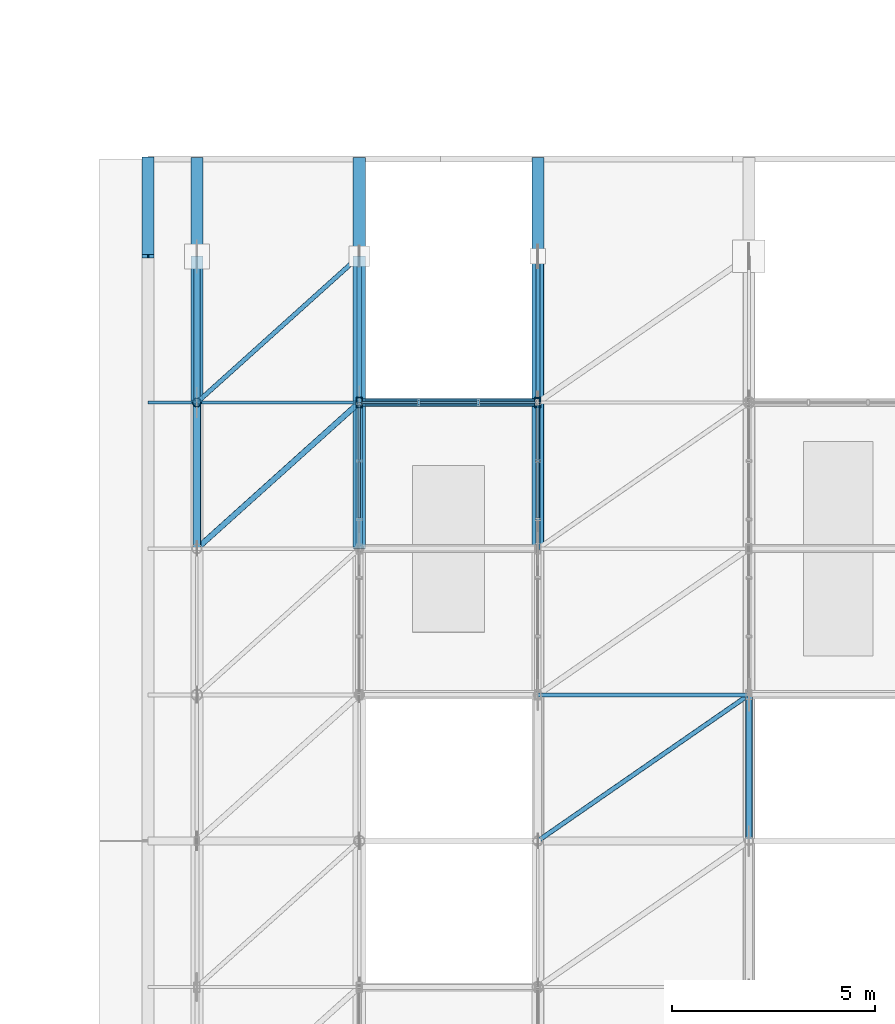
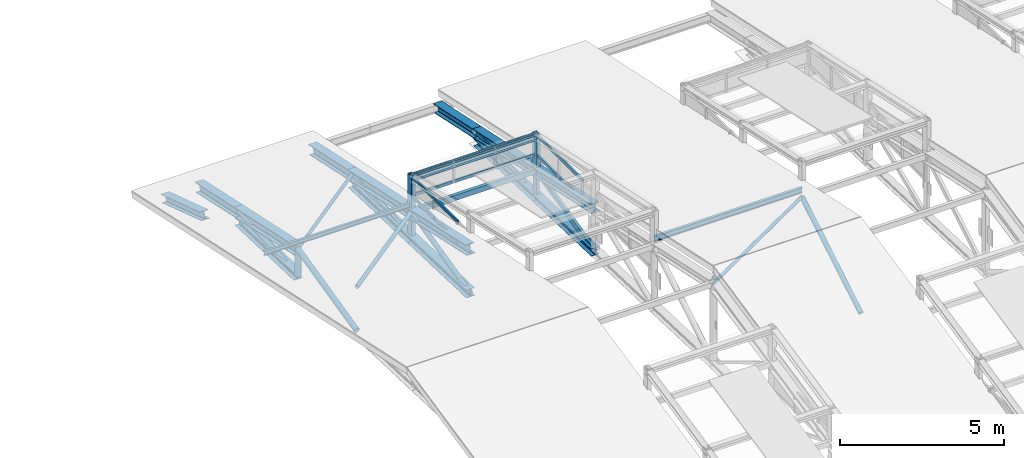
# One storey, part 39 of 124: 48 members, 3 elements without a shape of their own.
"""IFC4 building model written with IfcOpenShell, lengths in metres."""

import ifcopenshell
import ifcopenshell.guid

model = None  # the IFC model being written
_history = None  # IfcOwnerHistory: only IFC2X3 demands one
_inside = {}  # id of a spatial element -> (the spatial element, [elements in it])
_under = {}  # id of a project, library or spatial element -> (it, [spatial elements below it])
_declared = {}  # id of a project -> (the project, [libraries it declares])
_typed = {}  # id of a type object -> (the type object, [elements of that type])
_made_of = {}  # id of a material, layer set ... -> (it, [elements and type objects made of it])


def new_model(schema):
    """Start an empty IFC model of exactly this schema.

    Asked for "IFC4X3", IfcOpenShell would pick the latest addendum, in which some entities
    have other attributes; the version numbers below select the first issue.
    IFC2X3 requires an IfcOwnerHistory on every rooted entity: one is made here for all.
    """
    global model, _history
    if schema == "IFC4X3":
        model = ifcopenshell.file(schema_version=(4, 3, 0, 0))
    else:
        model = ifcopenshell.file(schema=schema)
    _inside.clear()
    _under.clear()
    _declared.clear()
    _typed.clear()
    _made_of.clear()
    _history = None
    if model.schema == "IFC2X3":
        org = make("IfcOrganization", Name="unknown")
        user = make(
            "IfcPersonAndOrganization",
            ThePerson=make("IfcPerson", FamilyName="unknown"),
            TheOrganization=org,
        )
        app = make(
            "IfcApplication",
            ApplicationDeveloper=org,
            Version="unknown",
            ApplicationFullName="unknown",
            ApplicationIdentifier="unknown",
        )
        _history = make(
            "IfcOwnerHistory",
            OwningUser=user,
            OwningApplication=app,
            ChangeAction="ADDED",
            CreationDate=0,
        )
    return model


def make(cls, **values):
    """One entity of the class cls with the attributes given. An attribute that is None is left unset."""
    return model.create_entity(
        cls, **{name: value for name, value in values.items() if value is not None}
    )


def rooted(cls, **values):
    """An entity with a GlobalId (a new one), such as an element, a storey or a relation."""
    return make(cls, GlobalId=ifcopenshell.guid.new(), OwnerHistory=_history, **values)


def si_unit(unit_type, name, prefix=None):
    """IfcSIUnit, for example si_unit("LENGTHUNIT", "METRE", prefix="MILLI")."""
    return make("IfcSIUnit", UnitType=unit_type, Prefix=prefix, Name=name)


def assignment(units):
    """IfcUnitAssignment: the units of a project."""
    return None if units is None else make("IfcUnitAssignment", Units=units)


def point(xyz):
    """IfcCartesianPoint."""
    return None if xyz is None else make("IfcCartesianPoint", Coordinates=xyz)


def direction(xyz):
    """IfcDirection."""
    return None if xyz is None else make("IfcDirection", DirectionRatios=xyz)


def frame(location, z_axis=None, x_axis=None):
    """IfcAxis2Placement3D, a coordinate frame: its origin and axes. An axis left out is left unset."""
    return make(
        "IfcAxis2Placement3D",
        Location=point(location),
        Axis=direction(z_axis),
        RefDirection=direction(x_axis),
    )


def frame_2d(location, x_axis=None):
    """IfcAxis2Placement2D, a coordinate frame in the plane: its origin and x axis."""
    return make(
        "IfcAxis2Placement2D", Location=point(location), RefDirection=direction(x_axis)
    )


def origin():
    """The frame at (0, 0, 0) with its axes left unset."""
    return frame((0.0, 0.0, 0.0))


def origin_2d():
    """The frame at (0, 0) in the plane with its x axis left unset."""
    return frame_2d((0.0, 0.0))


def place(relative_to, where):
    """IfcLocalPlacement: puts the frame where relative to a parent placement (None: the world)."""
    return make(
        "IfcLocalPlacement", PlacementRelTo=relative_to, RelativePlacement=where
    )


def context(
    kind, dimensions, precision=None, world=None, true_north=None, identifier=None
):
    """IfcGeometricRepresentationContext, for example the 3D "Model" context."""
    return make(
        "IfcGeometricRepresentationContext",
        ContextIdentifier=identifier,
        ContextType=kind,
        CoordinateSpaceDimension=dimensions,
        Precision=precision,
        WorldCoordinateSystem=world,
        TrueNorth=true_north,
    )


def subcontext(parent, identifier, kind, view, scale=None):
    """IfcGeometricRepresentationSubContext, for example "Body" below "Model"."""
    return make(
        "IfcGeometricRepresentationSubContext",
        ContextIdentifier=identifier,
        ContextType=kind,
        ParentContext=parent,
        TargetScale=scale,
        TargetView=view,
    )


def project(units=None, contexts=None):
    """IfcProject with its units and contexts."""
    return rooted(
        "IfcProject",
        Name="project",
        RepresentationContexts=contexts,
        UnitsInContext=assignment(units),
    )


def spatial(cls, under=None, at=None, **own):
    """A site, building, storey or space (cls), placed at a placement, below another one or the project."""
    s = rooted(cls, ObjectPlacement=at, **own)
    if under is not None:
        _under.setdefault(under.id(), (under, []))[1].append(s)
    return s


def profile(cls, at=None, kind="AREA", **sizes):
    """A parametric profile (cls). Its sizes go by their IFC names, for example OverallWidth=200.0."""
    return make(cls, ProfileType=kind, Position=at, **sizes)


def hollow_rectangle(**sizes):
    """IfcRectangleHollowProfileDef."""
    return profile("IfcRectangleHollowProfileDef", **sizes)


def hollow_circle(**sizes):
    """IfcCircleHollowProfileDef."""
    return profile("IfcCircleHollowProfileDef", **sizes)


def i_section(**sizes):
    """IfcIShapeProfileDef."""
    return profile("IfcIShapeProfileDef", **sizes)


def extrude(swept, where, along, depth):
    """IfcExtrudedAreaSolid: the profile swept, set in the frame where, extruded along a direction by depth."""
    return make(
        "IfcExtrudedAreaSolid",
        SweptArea=swept,
        Position=where,
        ExtrudedDirection=direction(along),
        Depth=depth,
    )


def shape(context_of_items, identifier, shape_type, items):
    """IfcShapeRepresentation: the items that make up one representation, for example the "Body"."""
    return make(
        "IfcShapeRepresentation",
        ContextOfItems=context_of_items,
        RepresentationIdentifier=identifier,
        RepresentationType=shape_type,
        Items=items,
    )


def material(Name=None, Category=None):
    """IfcMaterial."""
    return make("IfcMaterial", Name=Name, Category=Category)


def layer(
    of_material, thickness, ventilated=None, Name=None, Category=None, Priority=None
):
    """IfcMaterialLayer: one layer of a wall or slab, of a material (None: an air gap)."""
    return make(
        "IfcMaterialLayer",
        Material=of_material,
        LayerThickness=thickness,
        IsVentilated=ventilated,
        Name=Name,
        Category=Category,
        Priority=Priority,
    )


def layer_set(layers, Name=None):
    """IfcMaterialLayerSet."""
    return make("IfcMaterialLayerSet", MaterialLayers=layers, LayerSetName=Name)


def material_profile(
    of_material, cross_section, Name=None, Category=None, Priority=None
):
    """IfcMaterialProfile: a cross section and its material."""
    return make(
        "IfcMaterialProfile",
        Name=Name,
        Material=of_material,
        Profile=cross_section,
        Priority=Priority,
        Category=Category,
    )


def profile_set(profiles, Name=None, composite=None):
    """IfcMaterialProfileSet."""
    return make(
        "IfcMaterialProfileSet",
        Name=Name,
        MaterialProfiles=profiles,
        CompositeProfile=composite,
    )


def made_of(thing, what):
    """Note that an element or type object is made of a material, layer set ...; save() writes the relation."""
    if what is not None:
        _made_of.setdefault(what.id(), (what, []))[1].append(thing)
    return thing


def type_object(cls, material=None, **own):
    """A type object (cls), such as IfcWallType, which elements share."""
    return made_of(rooted(cls, **own), material)


def element(
    cls,
    number,
    at=None,
    inside=None,
    cuts=None,
    type_object=None,
    material=None,
    context=None,
    identifier="Body",
    shape_type=None,
    held_by="IfcProductDefinitionShape",
    body=None,
    shapes=None,
    **own,
):
    """One element of the class cls, such as IfcWall. Its Tag is "e" and its number.

    at: its placement. inside: the storey or other place that contains it. cuts: it is an
    opening in that element (IfcRelVoidsElement). A single representation is given by context,
    identifier, shape_type and body (its items); several are given by shapes. held_by: the class
    of the entity that holds the representations. save() writes the other relations.
    """
    e = rooted(cls, Tag="e%d" % number, ObjectPlacement=at, **own)
    if body is not None:
        shapes = [shape(context, identifier, shape_type, body)]
    if shapes is not None:
        e.Representation = make(held_by, Representations=shapes)
    if inside is not None:
        _inside.setdefault(inside.id(), (inside, []))[1].append(e)
    if cuts is not None:
        rooted(
            "IfcRelVoidsElement", RelatingBuildingElement=cuts, RelatedOpeningElement=e
        )
    if type_object is not None:
        _typed.setdefault(type_object.id(), (type_object, []))[1].append(e)
    return made_of(e, material)


def aggregate(whole, parts):
    """IfcRelAggregates: a whole, such as a stair, and the parts it consists of."""
    return rooted("IfcRelAggregates", RelatingObject=whole, RelatedObjects=parts)


def save(model, path):
    """Write the relations noted so far, then the file.

    IfcRelAggregates (storeys below a building ...), IfcRelContainedInSpatialStructure (elements
    in a storey), IfcRelDefinesByType, IfcRelAssociatesMaterial and IfcRelDeclares: one each for
    every whole, place, type object, material and project.
    """
    for whole, parts in _under.values():
        aggregate(whole, parts)
    for where, things in _inside.values():
        rooted(
            "IfcRelContainedInSpatialStructure",
            RelatedElements=things,
            RelatingStructure=where,
        )
    for kind, things in _typed.values():
        rooted("IfcRelDefinesByType", RelatedObjects=things, RelatingType=kind)
    for what, things in _made_of.values():
        rooted("IfcRelAssociatesMaterial", RelatedObjects=things, RelatingMaterial=what)
    for by, libraries in _declared.values():
        rooted("IfcRelDeclares", RelatingContext=by, RelatedDefinitions=libraries)
    model.write(path)


model = new_model("IFC4")

# Units and contexts
model_context = context("Model", 3, precision=1e-05, world=origin(), true_north=direction((0.0, 1.0)))
body_context = subcontext(model_context, "Body", "Model", "MODEL_VIEW")
ifc_project = project(units=[si_unit("LENGTHUNIT", "METRE"), si_unit("AREAUNIT", "SQUARE_METRE"), si_unit("VOLUMEUNIT", "CUBIC_METRE"), si_unit("PLANEANGLEUNIT", "RADIAN"), si_unit("MASSUNIT", "GRAM", prefix="KILO"), si_unit("THERMODYNAMICTEMPERATUREUNIT", "KELVIN"), si_unit("POWERUNIT", "WATT")], contexts=[model_context])

# Site, building, storey
site_placement = place(None, origin())
site = spatial("IfcSite", under=ifc_project, at=site_placement, CompositionType="ELEMENT")
building_placement = place(site_placement, origin())
building = spatial("IfcBuilding", under=site, at=building_placement, Name="Tavuni Mirador Residences", CompositionType="ELEMENT")
storey_placement = place(building_placement, frame((0.0, 0.0, 7.64990234375)))
storey = spatial("IfcBuildingStorey", under=building, at=storey_placement, Name="L02", CompositionType="ELEMENT", Elevation=7.64990234375)

# Curtain wall, members
ifc_material_1 = material(Name="Anodised aluminium", Category="aluminium")
ifc_layer = layer(ifc_material_1, 0.199951171875, Name="Anodised aluminium", Category="aluminium")
ifc_layer_set = layer_set([ifc_layer], Name="Anodised aluminium")
curtain_wall_type = type_object("IfcCurtainWallType", Name="CWT-HAL-01", PredefinedType="NOTDEFINED", material=ifc_layer_set)
curtain_wall_1_placement = place(storey_placement, origin())
curtain_wall_1 = element("IfcCurtainWall", 1, at=curtain_wall_1_placement, inside=storey, type_object=curtain_wall_type, Name="CW-HALL-MON-N1-W", PredefinedType="NOTDEFINED")
ifc_material_profile_1 = material_profile(ifc_material_1, hollow_rectangle(XDim=0.06005859375, YDim=0.110107421875, WallThickness=0.00390625, at=origin_2d()), Name="ALU 60x110x4.0", Category="aluminium")
ifc_profile_set_1 = profile_set([ifc_material_profile_1], Name="Anodised aluminium")
member_type_1 = type_object("IfcMemberType", Name="CWT-110", PredefinedType="USERDEFINED", material=ifc_profile_set_1)
member_1_placement = place(storey_placement, frame((44.800048828125, 94.35009765625, 1.205078125), z_axis=(0.0, 1.0, 0.0), x_axis=(-1.0, 0.0, 0.0)))
member_1 = element("IfcMember", 2, at=member_1_placement, type_object=member_type_1, Name="CW-06 transom 4.1", ObjectType="TRANSOM", PredefinedType="USERDEFINED", context=body_context, shape_type="SweptSolid", body=[
    extrude(hollow_rectangle(XDim=0.06005859375, YDim=0.110107421875, WallThickness=0.00390625, at=origin_2d()), origin(), (0.0, 0.0, 1.0), 1.3798828125),
])
member_2_placement = place(storey_placement, frame((44.800048828125, 94.35009765625, 1.93505859375), z_axis=(0.0, 1.0, 0.0), x_axis=(-1.0, 0.0, 0.0)))
member_2 = element("IfcMember", 3, at=member_2_placement, type_object=member_type_1, Name="CW-06 transom 4.2", ObjectType="TRANSOM", PredefinedType="USERDEFINED", context=body_context, shape_type="SweptSolid", body=[
    extrude(hollow_rectangle(XDim=0.06005859375, YDim=0.110107421875, WallThickness=0.00390625, at=origin_2d()), origin(), (0.0, 0.0, 1.0), 1.3798828125),
])
member_3_placement = place(storey_placement, frame((44.800048828125, 95.7900390625, 1.205078125), z_axis=(0.0, 1.0, 0.0), x_axis=(-1.0, 0.0, 0.0)))
member_3 = element("IfcMember", 4, at=member_3_placement, type_object=member_type_1, Name="CW-06 transom 5.1", ObjectType="TRANSOM", PredefinedType="USERDEFINED", context=body_context, shape_type="SweptSolid", body=[
    extrude(hollow_rectangle(XDim=0.06005859375, YDim=0.110107421875, WallThickness=0.00390625, at=origin_2d()), origin(), (0.0, 0.0, 1.0), 1.349853515625),
])
member_4_placement = place(storey_placement, frame((44.800048828125, 95.7900390625, 1.93505859375), z_axis=(0.0, 1.0, 0.0), x_axis=(-1.0, 0.0, 0.0)))
member_4 = element("IfcMember", 5, at=member_4_placement, type_object=member_type_1, Name="CW-06 transom 5.2", ObjectType="TRANSOM", PredefinedType="USERDEFINED", context=body_context, shape_type="SweptSolid", body=[
    extrude(hollow_rectangle(XDim=0.06005859375, YDim=0.110107421875, WallThickness=0.00390625, at=origin_2d()), origin(), (0.0, 0.0, 1.0), 1.349853515625),
])
aggregate(curtain_wall_1, [member_1, member_2, member_3, member_4])

curtain_wall_2_placement = place(storey_placement, origin())
curtain_wall_2 = element("IfcCurtainWall", 6, at=curtain_wall_2_placement, inside=storey, type_object=curtain_wall_type, Name="CW-HALL-MON-N1-E", PredefinedType="NOTDEFINED")
member_5_placement = place(storey_placement, frame((49.199951171875, 94.35009765625, 1.205078125), z_axis=(0.0, 1.0, 0.0), x_axis=(-1.0, 0.0, 0.0)))
member_5 = element("IfcMember", 7, at=member_5_placement, type_object=member_type_1, Name="CW-06 transom 4.1", ObjectType="TRANSOM", PredefinedType="USERDEFINED", context=body_context, shape_type="SweptSolid", body=[
    extrude(hollow_rectangle(XDim=0.06005859375, YDim=0.110107421875, WallThickness=0.00390625, at=origin_2d()), origin(), (0.0, 0.0, 1.0), 1.3798828125),
])
member_6_placement = place(storey_placement, frame((49.199951171875, 94.35009765625, 1.93505859375), z_axis=(0.0, 1.0, 0.0), x_axis=(-1.0, 0.0, 0.0)))
member_6 = element("IfcMember", 8, at=member_6_placement, type_object=member_type_1, Name="CW-06 transom 4.2", ObjectType="TRANSOM", PredefinedType="USERDEFINED", context=body_context, shape_type="SweptSolid", body=[
    extrude(hollow_rectangle(XDim=0.06005859375, YDim=0.110107421875, WallThickness=0.00390625, at=origin_2d()), origin(), (0.0, 0.0, 1.0), 1.3798828125),
])
member_7_placement = place(storey_placement, frame((49.199951171875, 95.7900390625, 1.205078125), z_axis=(0.0, 1.0, 0.0), x_axis=(-1.0, 0.0, 0.0)))
member_7 = element("IfcMember", 9, at=member_7_placement, type_object=member_type_1, Name="CW-06 transom 5.1", ObjectType="TRANSOM", PredefinedType="USERDEFINED", context=body_context, shape_type="SweptSolid", body=[
    extrude(hollow_rectangle(XDim=0.06005859375, YDim=0.110107421875, WallThickness=0.00390625, at=origin_2d()), origin(), (0.0, 0.0, 1.0), 1.349853515625),
])
member_8_placement = place(storey_placement, frame((49.199951171875, 95.7900390625, 1.93505859375), z_axis=(0.0, 1.0, 0.0), x_axis=(-1.0, 0.0, 0.0)))
member_8 = element("IfcMember", 10, at=member_8_placement, type_object=member_type_1, Name="CW-06 transom 5.2", ObjectType="TRANSOM", PredefinedType="USERDEFINED", context=body_context, shape_type="SweptSolid", body=[
    extrude(hollow_rectangle(XDim=0.06005859375, YDim=0.110107421875, WallThickness=0.00390625, at=origin_2d()), origin(), (0.0, 0.0, 1.0), 1.349853515625),
])
aggregate(curtain_wall_2, [member_5, member_6, member_7, member_8])

curtain_wall_3_placement = place(storey_placement, origin())
curtain_wall_3 = element("IfcCurtainWall", 11, at=curtain_wall_3_placement, inside=storey, type_object=curtain_wall_type, Name="CW-HALL-MON-N1-END", PredefinedType="NOTDEFINED")
member_9_placement = place(storey_placement, frame((44.860107421875, 97.199951171875, 1.205078125), z_axis=(1.0, 0.0, 0.0), x_axis=(0.0, 1.0, 0.0)))
member_9 = element("IfcMember", 12, at=member_9_placement, type_object=member_type_1, Name="CW-06 transom 1.1", ObjectType="TRANSOM", PredefinedType="USERDEFINED", context=body_context, shape_type="SweptSolid", body=[
    extrude(hollow_rectangle(XDim=0.06005859375, YDim=0.110107421875, WallThickness=0.00390625, at=origin_2d()), origin(), (0.0, 0.0, 1.0), 1.37646484375),
])
member_10_placement = place(storey_placement, frame((44.860107421875, 97.199951171875, 1.93505859375), z_axis=(1.0, 0.0, 0.0), x_axis=(0.0, 1.0, 0.0)))
member_10 = element("IfcMember", 13, at=member_10_placement, type_object=member_type_1, Name="CW-06 transom 1.2", ObjectType="TRANSOM", PredefinedType="USERDEFINED", context=body_context, shape_type="SweptSolid", body=[
    extrude(hollow_rectangle(XDim=0.06005859375, YDim=0.110107421875, WallThickness=0.00390625, at=origin_2d()), origin(), (0.0, 0.0, 1.0), 1.37646484375),
])
member_11_placement = place(storey_placement, frame((46.296630859375, 97.199951171875, 1.205078125), z_axis=(1.0, 0.0, 0.0), x_axis=(0.0, 1.0, 0.0)))
member_11 = element("IfcMember", 14, at=member_11_placement, type_object=member_type_1, Name="CW-06 transom 2.1", ObjectType="TRANSOM", PredefinedType="USERDEFINED", context=body_context, shape_type="SweptSolid", body=[
    extrude(hollow_rectangle(XDim=0.06005859375, YDim=0.110107421875, WallThickness=0.00390625, at=origin_2d()), origin(), (0.0, 0.0, 1.0), 1.40673828125),
])
member_12_placement = place(storey_placement, frame((46.296630859375, 97.199951171875, 1.93505859375), z_axis=(1.0, 0.0, 0.0), x_axis=(0.0, 1.0, 0.0)))
member_12 = element("IfcMember", 15, at=member_12_placement, type_object=member_type_1, Name="CW-06 transom 2.2", ObjectType="TRANSOM", PredefinedType="USERDEFINED", context=body_context, shape_type="SweptSolid", body=[
    extrude(hollow_rectangle(XDim=0.06005859375, YDim=0.110107421875, WallThickness=0.00390625, at=origin_2d()), origin(), (0.0, 0.0, 1.0), 1.40673828125),
])
member_13_placement = place(storey_placement, frame((47.763427734375, 97.199951171875, 1.205078125), z_axis=(1.0, 0.0, 0.0), x_axis=(0.0, 1.0, 0.0)))
member_13 = element("IfcMember", 16, at=member_13_placement, type_object=member_type_1, Name="CW-06 transom 3.1", ObjectType="TRANSOM", PredefinedType="USERDEFINED", context=body_context, shape_type="SweptSolid", body=[
    extrude(hollow_rectangle(XDim=0.06005859375, YDim=0.110107421875, WallThickness=0.00390625, at=origin_2d()), origin(), (0.0, 0.0, 1.0), 1.37646484375),
])
member_14_placement = place(storey_placement, frame((47.763427734375, 97.199951171875, 1.93505859375), z_axis=(1.0, 0.0, 0.0), x_axis=(0.0, 1.0, 0.0)))
member_14 = element("IfcMember", 17, at=member_14_placement, type_object=member_type_1, Name="CW-06 transom 3.2", ObjectType="TRANSOM", PredefinedType="USERDEFINED", context=body_context, shape_type="SweptSolid", body=[
    extrude(hollow_rectangle(XDim=0.06005859375, YDim=0.110107421875, WallThickness=0.00390625, at=origin_2d()), origin(), (0.0, 0.0, 1.0), 1.37646484375),
])
aggregate(curtain_wall_3, [member_9, member_10, member_11, member_12, member_13, member_14])

# Members
ifc_material_2 = material(Name="Structural steel S355", Category="steel")
ifc_material_profile_2 = material_profile(ifc_material_2, hollow_circle(Radius=0.05712890625, WallThickness=0.00634765625, at=origin_2d()), Name="CHS 114.3x6.3", Category="steel")
ifc_profile_set_2 = profile_set([ifc_material_profile_2], Name="Structural steel S355")
member_type_2 = type_object("IfcMemberType", Name="MT-BR-CHS114", PredefinedType="BRACE", material=ifc_profile_set_2)
member_15_placement = place(storey_placement, frame((40.800048828125, 97.199951171875, 0.60498046875), z_axis=(0.735697248953, 0.662145485417, -0.142523380626), x_axis=(-0.668974757313, 0.743285123004, 0.0)))
element("IfcMember", 18, at=member_15_placement, inside=storey, type_object=member_type_2, Name="HALL-RB-1-08", PredefinedType="BRACE", context=body_context, shape_type="SweptSolid", body=[
    extrude(hollow_circle(Radius=0.05712890625, WallThickness=0.00634765625, at=origin_2d()), origin(), (0.0, 0.0, 1.0), 5.43701171875),
])
member_16_placement = place(storey_placement, frame((49.199951171875, 86.39990234375, 2.93017578125), z_axis=(0.816076077126, 0.56499637698, -0.12165085426), x_axis=(-0.569224029849, 0.822182463838, 0.0)))
element("IfcMember", 19, at=member_16_placement, inside=storey, type_object=member_type_2, Name="HALL-RB-2-05", PredefinedType="BRACE", context=body_context, shape_type="SweptSolid", body=[
    extrude(hollow_circle(Radius=0.05712890625, WallThickness=0.00634765625, at=origin_2d()), origin(), (0.0, 0.0, 1.0), 6.371826171875),
])
ifc_material_profile_3 = material_profile(ifc_material_2, hollow_circle(Radius=0.06982421875, WallThickness=0.008056640625, at=origin_2d()), Name="CHS 139.7x8.0", Category="steel")
ifc_profile_set_3 = profile_set([ifc_material_profile_3], Name="Structural steel S355")
member_type_3 = type_object("IfcMemberType", Name="MT-BR-CHS139", PredefinedType="BRACE", material=ifc_profile_set_3)
member_17_placement = place(storey_placement, frame((40.800048828125, 93.60009765625, 1.380126953125), z_axis=(0.735714413945, 0.662116029884, -0.142571610368), x_axis=(-0.668949692402, 0.74330768127, 0.0)))
element("IfcMember", 20, at=member_17_placement, inside=storey, type_object=member_type_3, Name="HALL-RB-1-07", PredefinedType="BRACE", context=body_context, shape_type="SweptSolid", body=[
    extrude(hollow_circle(Radius=0.06982421875, WallThickness=0.008056640625, at=origin_2d()), origin(), (0.0, 0.0, 1.0), 5.43701171875),
])
ifc_material_profile_4 = material_profile(ifc_material_2, hollow_circle(Radius=0.084228515625, WallThickness=0.008056640625, at=origin_2d()), Name="CHS 168.3x8.0", Category="steel")
ifc_profile_set_4 = profile_set([ifc_material_profile_4], Name="Structural steel S355")
member_type_4 = type_object("IfcMemberType", Name="MT-BR-CHS168", PredefinedType="BRACE", material=ifc_profile_set_4)
member_18_placement = place(storey_placement, frame((40.800048828125, 97.199951171875, -0.375), z_axis=(0.0, 0.998381455169, 0.05687240081), x_axis=(-1.0, 0.0, 0.0)))
element("IfcMember", 21, at=member_18_placement, inside=storey, type_object=member_type_4, Name="Roof truss TR-1 web diagonal 8", PredefinedType="BRACE", context=body_context, shape_type="SweptSolid", body=[
    extrude(hollow_circle(Radius=0.084228515625, WallThickness=0.008056640625, at=origin_2d()), origin(), (0.0, 0.0, 1.0), 3.60595703125),
])
member_19_placement = place(storey_placement, frame((44.800048828125, 93.60009765625, -0.25), z_axis=(0.0, 0.972935623557, 0.231076334601), x_axis=(-1.0, 0.0, 0.0)))
element("IfcMember", 22, at=member_19_placement, inside=storey, type_object=member_type_4, Name="Roof truss TR-2 web diagonal 7", PredefinedType="BRACE", context=body_context, shape_type="SweptSolid", body=[
    extrude(hollow_circle(Radius=0.084228515625, WallThickness=0.008056640625, at=origin_2d()), origin(), (0.0, 0.0, 1.0), 3.699951171875),
])
member_20_placement = place(storey_placement, frame((54.39990234375, 86.39990234375, 0.0), z_axis=(0.0, 0.858021287319, 0.513614126079), x_axis=(-1.0, 0.0, 0.0)))
element("IfcMember", 23, at=member_20_placement, inside=storey, type_object=member_type_4, Name="Roof truss TR-4 web diagonal 5", PredefinedType="BRACE", context=body_context, shape_type="SweptSolid", body=[
    extrude(hollow_circle(Radius=0.084228515625, WallThickness=0.008056640625, at=origin_2d()), origin(), (0.0, 0.0, 1.0), 4.19580078125),
])
ifc_material_profile_5 = material_profile(ifc_material_2, hollow_circle(Radius=0.096923828125, WallThickness=0.010009765625, at=origin_2d()), Name="CHS 193.7x10.0", Category="steel")
ifc_profile_set_5 = profile_set([ifc_material_profile_5], Name="Structural steel S355")
member_type_5 = type_object("IfcMemberType", Name="MT-BR-CHS193", PredefinedType="BRACE", material=ifc_profile_set_5)
member_21_placement = place(storey_placement, frame((40.800048828125, 93.60009765625, -0.25), z_axis=(0.0, 0.972935623557, 0.231076334601), x_axis=(-1.0, 0.0, 0.0)))
element("IfcMember", 24, at=member_21_placement, inside=storey, type_object=member_type_5, Name="Roof truss TR-1 web diagonal 7", PredefinedType="BRACE", context=body_context, shape_type="SweptSolid", body=[
    extrude(hollow_circle(Radius=0.096923828125, WallThickness=0.010009765625, at=origin_2d()), origin(), (0.0, 0.0, 1.0), 3.699951171875),
])
ifc_material_profile_6 = material_profile(ifc_material_2, hollow_rectangle(XDim=0.10009765625, YDim=0.14990234375, WallThickness=0.008056640625, at=origin_2d()), Name="RHS 150x100x8.0", Category="steel")
ifc_profile_set_6 = profile_set([ifc_material_profile_6], Name="Structural steel S355")
member_type_6 = type_object("IfcMemberType", Name="MT-BR-RHS150", PredefinedType="BRACE", material=ifc_profile_set_6)
member_22_placement = place(storey_placement, frame((49.199951171875, 97.199951171875, -0.375), z_axis=(0.0, 0.998381455169, 0.05687240081), x_axis=(-1.0, 0.0, 0.0)))
element("IfcMember", 25, at=member_22_placement, inside=storey, type_object=member_type_6, Name="Roof truss TR-3 web diagonal 8", PredefinedType="BRACE", context=body_context, shape_type="SweptSolid", body=[
    extrude(hollow_rectangle(XDim=0.10009765625, YDim=0.14990234375, WallThickness=0.008056640625, at=origin_2d()), origin(), (0.0, 0.0, 1.0), 3.60595703125),
])
ifc_material_profile_7 = material_profile(ifc_material_2, hollow_rectangle(XDim=0.10009765625, YDim=0.179931640625, WallThickness=0.008056640625, at=origin_2d()), Name="RHS 180x100x8.0", Category="steel")
ifc_profile_set_7 = profile_set([ifc_material_profile_7], Name="Structural steel S355")
member_type_7 = type_object("IfcMemberType", Name="MT-BR-RHS180", PredefinedType="BRACE", material=ifc_profile_set_7)
member_23_placement = place(storey_placement, frame((44.800048828125, 97.199951171875, -0.375), z_axis=(0.0, 0.998381455169, 0.05687240081), x_axis=(-1.0, 0.0, 0.0)))
element("IfcMember", 26, at=member_23_placement, inside=storey, type_object=member_type_7, Name="Roof truss TR-2 web diagonal 8", PredefinedType="BRACE", context=body_context, shape_type="SweptSolid", body=[
    extrude(hollow_rectangle(XDim=0.10009765625, YDim=0.179931640625, WallThickness=0.008056640625, at=origin_2d()), origin(), (0.0, 0.0, 1.0), 3.60595703125),
])
member_24_placement = place(storey_placement, frame((49.199951171875, 93.60009765625, -0.25), z_axis=(0.0, 0.972935623557, 0.231076334601), x_axis=(-1.0, 0.0, 0.0)))
element("IfcMember", 27, at=member_24_placement, inside=storey, type_object=member_type_7, Name="Roof truss TR-3 web diagonal 7", PredefinedType="BRACE", context=body_context, shape_type="SweptSolid", body=[
    extrude(hollow_rectangle(XDim=0.10009765625, YDim=0.179931640625, WallThickness=0.008056640625, at=origin_2d()), origin(), (0.0, 0.0, 1.0), 3.699951171875),
])
ifc_material_profile_8 = material_profile(ifc_material_2, i_section(OverallWidth=0.280029296875, OverallDepth=0.27001953125, WebThickness=0.008056640625, FlangeThickness=0.012939453125, FilletRadius=0.02392578125, at=origin_2d()), Name="HEA 280", Category="steel")
ifc_profile_set_8 = profile_set([ifc_material_profile_8], Name="Structural steel S355")
member_type_8 = type_object("IfcMemberType", Name="MT-CH-HEA280", PredefinedType="CHORD", material=ifc_profile_set_8)
member_25_placement = place(storey_placement, frame((49.199951171875, 93.60009765625, -0.25), z_axis=(0.0, 0.999397679205, -0.034702720363), x_axis=(-1.0, 0.0, 0.0)))
element("IfcMember", 28, at=member_25_placement, inside=storey, type_object=member_type_8, Name="Roof truss TR-3 bottom chord 7", PredefinedType="CHORD", context=body_context, shape_type="SweptSolid", body=[
    extrude(i_section(OverallWidth=0.280029296875, OverallDepth=0.27001953125, WebThickness=0.008056640625, FlangeThickness=0.012939453125, FilletRadius=0.02392578125, at=origin_2d()), origin(), (0.0, 0.0, 1.0), 3.60205078125),
])
member_26_placement = place(storey_placement, frame((49.199951171875, 97.199951171875, -0.375), z_axis=(0.0, 0.999397760821, -0.034700369832), x_axis=(-1.0, 0.0, 0.0)))
element("IfcMember", 29, at=member_26_placement, inside=storey, type_object=member_type_8, Name="Roof truss TR-3 bottom chord 8", PredefinedType="CHORD", context=body_context, shape_type="SweptSolid", body=[
    extrude(i_section(OverallWidth=0.280029296875, OverallDepth=0.27001953125, WebThickness=0.008056640625, FlangeThickness=0.012939453125, FilletRadius=0.02392578125, at=origin_2d()), origin(), (0.0, 0.0, 1.0), 3.602294921875),
])
ifc_material_profile_9 = material_profile(ifc_material_2, i_section(OverallWidth=0.300048828125, OverallDepth=0.2900390625, WebThickness=0.008544921875, FlangeThickness=0.013916015625, FilletRadius=0.027099609375, at=origin_2d()), Name="HEA 300", Category="steel")
ifc_profile_set_9 = profile_set([ifc_material_profile_9], Name="Structural steel S355")
member_type_9 = type_object("IfcMemberType", Name="MT-CH-HEA300", PredefinedType="CHORD", material=ifc_profile_set_9)
member_27_placement = place(storey_placement, frame((40.800048828125, 97.199951171875, -0.375), z_axis=(0.0, 0.999397760821, -0.034700369832), x_axis=(-1.0, 0.0, 0.0)))
element("IfcMember", 30, at=member_27_placement, inside=storey, type_object=member_type_9, Name="Roof truss TR-1 bottom chord 8", PredefinedType="CHORD", context=body_context, shape_type="SweptSolid", body=[
    extrude(i_section(OverallWidth=0.300048828125, OverallDepth=0.2900390625, WebThickness=0.008544921875, FlangeThickness=0.013916015625, FilletRadius=0.027099609375, at=origin_2d()), origin(), (0.0, 0.0, 1.0), 3.602294921875),
])
member_28_placement = place(storey_placement, frame((44.800048828125, 93.60009765625, -0.25), z_axis=(0.0, 0.999397679205, -0.034702720363), x_axis=(-1.0, 0.0, 0.0)))
element("IfcMember", 31, at=member_28_placement, inside=storey, type_object=member_type_9, Name="Roof truss TR-2 bottom chord 7", PredefinedType="CHORD", context=body_context, shape_type="SweptSolid", body=[
    extrude(i_section(OverallWidth=0.300048828125, OverallDepth=0.2900390625, WebThickness=0.008544921875, FlangeThickness=0.013916015625, FilletRadius=0.027099609375, at=origin_2d()), origin(), (0.0, 0.0, 1.0), 3.60205078125),
])
member_29_placement = place(storey_placement, frame((44.800048828125, 97.199951171875, -0.375), z_axis=(0.0, 0.999397760821, -0.034700369832), x_axis=(-1.0, 0.0, 0.0)))
element("IfcMember", 32, at=member_29_placement, inside=storey, type_object=member_type_9, Name="Roof truss TR-2 bottom chord 8", PredefinedType="CHORD", context=body_context, shape_type="SweptSolid", body=[
    extrude(i_section(OverallWidth=0.300048828125, OverallDepth=0.2900390625, WebThickness=0.008544921875, FlangeThickness=0.013916015625, FilletRadius=0.027099609375, at=origin_2d()), origin(), (0.0, 0.0, 1.0), 3.602294921875),
])
member_30_placement = place(storey_placement, frame((39.60009765625, 100.800048828125, 0.09521484375), z_axis=(0.0, 0.950827717429, -0.309720279879), x_axis=(-1.0, 0.0, 0.0)))
element("IfcMember", 33, at=member_30_placement, inside=storey, type_object=member_type_9, Name="HALL-GAB-W-EN", PredefinedType="CHORD", context=body_context, shape_type="SweptSolid", body=[
    extrude(i_section(OverallWidth=0.300048828125, OverallDepth=0.2900390625, WebThickness=0.008544921875, FlangeThickness=0.013916015625, FilletRadius=0.027099609375, at=origin_2d()), origin(), (0.0, 0.0, 1.0), 2.52392578125),
])
ifc_material_profile_10 = material_profile(ifc_material_2, i_section(OverallWidth=0.300048828125, OverallDepth=0.320068359375, WebThickness=0.011474609375, FlangeThickness=0.0205078125, FilletRadius=0.027099609375, at=origin_2d()), Name="HEB 320", Category="steel")
ifc_profile_set_10 = profile_set([ifc_material_profile_10], Name="Structural steel S355")
member_type_10 = type_object("IfcMemberType", Name="MT-CH-HEB320", PredefinedType="CHORD", material=ifc_profile_set_10)
member_31_placement = place(storey_placement, frame((49.199951171875, 100.800048828125, -0.169921875), z_axis=(0.0, 0.977606968822, -0.210439099291), x_axis=(-1.0, 0.0, 0.0)))
element("IfcMember", 34, at=member_31_placement, inside=storey, type_object=member_type_10, Name="Roof truss TR-3 north eave chord", PredefinedType="CHORD", context=body_context, shape_type="SweptSolid", body=[
    extrude(i_section(OverallWidth=0.300048828125, OverallDepth=0.320068359375, WebThickness=0.011474609375, FlangeThickness=0.0205078125, FilletRadius=0.027099609375, at=origin_2d()), origin(), (0.0, 0.0, 1.0), 2.454833984375),
])
member_32_placement = place(storey_placement, frame((49.199951171875, 93.60009765625, 1.380126953125), z_axis=(0.0, 0.977593327089, -0.210502462768), x_axis=(-1.0, 0.0, 0.0)))
element("IfcMember", 35, at=member_32_placement, inside=storey, type_object=member_type_10, Name="Roof truss TR-3 top chord 7", PredefinedType="CHORD", context=body_context, shape_type="SweptSolid", body=[
    extrude(i_section(OverallWidth=0.300048828125, OverallDepth=0.320068359375, WebThickness=0.011474609375, FlangeThickness=0.0205078125, FilletRadius=0.027099609375, at=origin_2d()), origin(), (0.0, 0.0, 1.0), 3.682373046875),
])
member_33_placement = place(storey_placement, frame((49.199951171875, 97.199951171875, 0.60498046875), z_axis=(0.0, 0.977609904647, -0.210425460284), x_axis=(-1.0, 0.0, 0.0)))
element("IfcMember", 36, at=member_33_placement, inside=storey, type_object=member_type_10, Name="Roof truss TR-3 top chord 8", PredefinedType="CHORD", context=body_context, shape_type="SweptSolid", body=[
    extrude(i_section(OverallWidth=0.300048828125, OverallDepth=0.320068359375, WebThickness=0.011474609375, FlangeThickness=0.0205078125, FilletRadius=0.027099609375, at=origin_2d()), origin(), (0.0, 0.0, 1.0), 3.6826171875),
])
ifc_material_profile_11 = material_profile(ifc_material_2, i_section(OverallWidth=0.300048828125, OverallDepth=0.360107421875, WebThickness=0.012451171875, FlangeThickness=0.0224609375, FilletRadius=0.027099609375, at=origin_2d()), Name="HEB 360", Category="steel")
ifc_profile_set_11 = profile_set([ifc_material_profile_11], Name="Structural steel S355")
member_type_11 = type_object("IfcMemberType", Name="MT-CH-HEB360", PredefinedType="CHORD", material=ifc_profile_set_11)
member_34_placement = place(storey_placement, frame((40.800048828125, 100.800048828125, -0.169921875), z_axis=(0.0, 0.977606968822, -0.210439099291), x_axis=(-1.0, 0.0, 0.0)))
element("IfcMember", 37, at=member_34_placement, inside=storey, type_object=member_type_11, Name="Roof truss TR-1 north eave chord", PredefinedType="CHORD", context=body_context, shape_type="SweptSolid", body=[
    extrude(i_section(OverallWidth=0.300048828125, OverallDepth=0.360107421875, WebThickness=0.012451171875, FlangeThickness=0.0224609375, FilletRadius=0.027099609375, at=origin_2d()), origin(), (0.0, 0.0, 1.0), 2.454833984375),
])
member_35_placement = place(storey_placement, frame((40.800048828125, 97.199951171875, 0.60498046875), z_axis=(0.0, 0.977609904647, -0.210425460284), x_axis=(-1.0, 0.0, 0.0)))
element("IfcMember", 38, at=member_35_placement, inside=storey, type_object=member_type_11, Name="Roof truss TR-1 top chord 8", PredefinedType="CHORD", context=body_context, shape_type="SweptSolid", body=[
    extrude(i_section(OverallWidth=0.300048828125, OverallDepth=0.360107421875, WebThickness=0.012451171875, FlangeThickness=0.0224609375, FilletRadius=0.027099609375, at=origin_2d()), origin(), (0.0, 0.0, 1.0), 3.6826171875),
])
member_36_placement = place(storey_placement, frame((44.800048828125, 100.800048828125, -0.169921875), z_axis=(0.0, 0.977606968822, -0.210439099291), x_axis=(-1.0, 0.0, 0.0)))
element("IfcMember", 39, at=member_36_placement, inside=storey, type_object=member_type_11, Name="Roof truss TR-2 north eave chord", PredefinedType="CHORD", context=body_context, shape_type="SweptSolid", body=[
    extrude(i_section(OverallWidth=0.300048828125, OverallDepth=0.360107421875, WebThickness=0.012451171875, FlangeThickness=0.0224609375, FilletRadius=0.027099609375, at=origin_2d()), origin(), (0.0, 0.0, 1.0), 2.454833984375),
])
member_37_placement = place(storey_placement, frame((44.800048828125, 93.60009765625, 1.380126953125), z_axis=(0.0, 0.977593327089, -0.210502462768), x_axis=(-1.0, 0.0, 0.0)))
element("IfcMember", 40, at=member_37_placement, inside=storey, type_object=member_type_11, Name="Roof truss TR-2 top chord 7", PredefinedType="CHORD", context=body_context, shape_type="SweptSolid", body=[
    extrude(i_section(OverallWidth=0.300048828125, OverallDepth=0.360107421875, WebThickness=0.012451171875, FlangeThickness=0.0224609375, FilletRadius=0.027099609375, at=origin_2d()), origin(), (0.0, 0.0, 1.0), 3.682373046875),
])
member_38_placement = place(storey_placement, frame((44.800048828125, 97.199951171875, 0.60498046875), z_axis=(0.0, 0.977609904647, -0.210425460284), x_axis=(-1.0, 0.0, 0.0)))
element("IfcMember", 41, at=member_38_placement, inside=storey, type_object=member_type_11, Name="Roof truss TR-2 top chord 8", PredefinedType="CHORD", context=body_context, shape_type="SweptSolid", body=[
    extrude(i_section(OverallWidth=0.300048828125, OverallDepth=0.360107421875, WebThickness=0.012451171875, FlangeThickness=0.0224609375, FilletRadius=0.027099609375, at=origin_2d()), origin(), (0.0, 0.0, 1.0), 3.6826171875),
])
ifc_material_profile_12 = material_profile(ifc_material_2, i_section(OverallWidth=0.199951171875, OverallDepth=0.18994140625, WebThickness=0.006591796875, FlangeThickness=0.010009765625, FilletRadius=0.01806640625, at=origin_2d()), Name="HEA 200", Category="steel")
ifc_profile_set_12 = profile_set([ifc_material_profile_12], Name="Structural steel S355")
member_type_12 = type_object("IfcMemberType", Name="MT-PR-HEA200", PredefinedType="PURLIN", material=ifc_profile_set_12)
member_39_placement = place(storey_placement, frame((44.800048828125, 97.199951171875, 1.864990234375), z_axis=(1.0, 0.0, 0.0), x_axis=(0.0, 1.0, 0.0)))
element("IfcMember", 42, at=member_39_placement, inside=storey, type_object=member_type_12, Name="HALL-MPUR-1-N-3", PredefinedType="PURLIN", context=body_context, shape_type="SweptSolid", body=[
    extrude(i_section(OverallWidth=0.199951171875, OverallDepth=0.18994140625, WebThickness=0.006591796875, FlangeThickness=0.010009765625, FilletRadius=0.01806640625, at=origin_2d()), origin(), (0.0, 0.0, 1.0), 4.39990234375),
])
ifc_material_profile_13 = material_profile(ifc_material_2, i_section(OverallWidth=0.08203125, OverallDepth=0.159912109375, WebThickness=0.0048828125, FlangeThickness=0.00732421875, FilletRadius=0.009033203125, at=origin_2d()), Name="IPE 160", Category="steel")
ifc_profile_set_13 = profile_set([ifc_material_profile_13], Name="Structural steel S355")
member_type_13 = type_object("IfcMemberType", Name="MT-PR-IPE160", PredefinedType="PURLIN", material=ifc_profile_set_13)
member_40_placement = place(storey_placement, frame((39.60009765625, 97.199951171875, 0.8701171875), z_axis=(1.0, 0.0, 0.0), x_axis=(0.0, 1.0, 0.0)))
element("IfcMember", 43, at=member_40_placement, inside=storey, type_object=member_type_13, Name="HALL-PUR-06-S1-1", PredefinedType="PURLIN", context=body_context, shape_type="SweptSolid", body=[
    extrude(i_section(OverallWidth=0.08203125, OverallDepth=0.159912109375, WebThickness=0.0048828125, FlangeThickness=0.00732421875, FilletRadius=0.009033203125, at=origin_2d()), origin(), (0.0, 0.0, 1.0), 1.199951171875),
])
member_41_placement = place(storey_placement, frame((40.800048828125, 97.199951171875, 0.8701171875), z_axis=(1.0, 0.0, 0.0), x_axis=(0.0, 1.0, 0.0)))
element("IfcMember", 44, at=member_41_placement, inside=storey, type_object=member_type_13, Name="HALL-PUR-06-S1-2", PredefinedType="PURLIN", context=body_context, shape_type="SweptSolid", body=[
    extrude(i_section(OverallWidth=0.08203125, OverallDepth=0.159912109375, WebThickness=0.0048828125, FlangeThickness=0.00732421875, FilletRadius=0.009033203125, at=origin_2d()), origin(), (0.0, 0.0, 1.0), 4.0),
])
ifc_material_profile_14 = material_profile(ifc_material_2, i_section(OverallWidth=0.10009765625, OverallDepth=0.199951171875, WebThickness=0.005615234375, FlangeThickness=0.008544921875, FilletRadius=0.011962890625, at=origin_2d()), Name="IPE 200", Category="steel")
ifc_profile_set_14 = profile_set([ifc_material_profile_14], Name="Structural steel S355")
member_type_14 = type_object("IfcMemberType", Name="MT-PR-IPE200", PredefinedType="PURLIN", material=ifc_profile_set_14)
member_42_placement = place(storey_placement, frame((49.199951171875, 90.0, 2.420166015625), z_axis=(1.0, 0.0, 0.0), x_axis=(0.0, 1.0, 0.0)))
element("IfcMember", 45, at=member_42_placement, inside=storey, type_object=member_type_14, Name="HALL-PUR-04-S2-1", PredefinedType="PURLIN", context=body_context, shape_type="SweptSolid", body=[
    extrude(i_section(OverallWidth=0.10009765625, OverallDepth=0.199951171875, WebThickness=0.005615234375, FlangeThickness=0.008544921875, FilletRadius=0.011962890625, at=origin_2d()), origin(), (0.0, 0.0, 1.0), 5.199951171875),
])
ifc_material_profile_15 = material_profile(ifc_material_2, hollow_circle(Radius=0.109619140625, WallThickness=0.010009765625, at=origin_2d()), Name="CHS 219.1x10.0", Category="steel")
ifc_profile_set_15 = profile_set([ifc_material_profile_15], Name="Structural steel S355")
member_type_15 = type_object("IfcMemberType", Name="MT-ST-CHS219", PredefinedType="STRUT", material=ifc_profile_set_15)
member_43_placement = place(storey_placement, frame((40.800048828125, 97.199951171875, -0.375), z_axis=(0.0, 0.0, 1.0), x_axis=(1.0, 0.0, 0.0)))
element("IfcMember", 46, at=member_43_placement, inside=storey, type_object=member_type_15, Name="Roof truss TR-1 vertical 8", PredefinedType="STRUT", context=body_context, shape_type="SweptSolid", body=[
    extrude(hollow_circle(Radius=0.109619140625, WallThickness=0.010009765625, at=origin_2d()), origin(), (0.0, 0.0, 1.0), 0.97998046875),
])
ifc_material_profile_16 = material_profile(ifc_material_2, hollow_rectangle(XDim=0.1201171875, YDim=0.199951171875, WallThickness=0.010009765625, at=origin_2d()), Name="RHS 200x120x10.0", Category="steel")
ifc_profile_set_16 = profile_set([ifc_material_profile_16], Name="Structural steel S355")
member_type_16 = type_object("IfcMemberType", Name="MT-ST-RHS200", PredefinedType="STRUT", material=ifc_profile_set_16)
member_44_placement = place(storey_placement, frame((49.199951171875, 97.199951171875, -0.375), z_axis=(0.0, 0.0, 1.0), x_axis=(1.0, 0.0, 0.0)))
element("IfcMember", 47, at=member_44_placement, inside=storey, type_object=member_type_16, Name="Roof truss TR-3 vertical 8", PredefinedType="STRUT", context=body_context, shape_type="SweptSolid", body=[
    extrude(hollow_rectangle(XDim=0.1201171875, YDim=0.199951171875, WallThickness=0.010009765625, at=origin_2d()), origin(), (0.0, 0.0, 1.0), 0.97998046875),
])
member_45_placement = place(storey_placement, frame((44.719970703125, 97.199951171875, 0.60498046875), z_axis=(1.0, 0.0, 0.0), x_axis=(0.0, 1.0, 0.0)))
element("IfcMember", 48, at=member_45_placement, inside=storey, type_object=member_type_16, Name="HALL-MTIE-1-07", PredefinedType="STRUT", context=body_context, shape_type="SweptSolid", body=[
    extrude(hollow_rectangle(XDim=0.1201171875, YDim=0.199951171875, WallThickness=0.010009765625, at=origin_2d()), origin(), (0.0, 0.0, 1.0), 4.56005859375),
])
ifc_material_profile_17 = material_profile(ifc_material_2, hollow_rectangle(XDim=0.14990234375, YDim=0.25, WallThickness=0.010009765625, at=origin_2d()), Name="RHS 250x150x10.0", Category="steel")
ifc_profile_set_17 = profile_set([ifc_material_profile_17], Name="Structural steel S355")
member_type_17 = type_object("IfcMemberType", Name="MT-ST-RHS250", PredefinedType="STRUT", material=ifc_profile_set_17)
member_46_placement = place(storey_placement, frame((44.800048828125, 97.199951171875, -0.375), z_axis=(0.0, 0.0, 1.0), x_axis=(1.0, 0.0, 0.0)))
element("IfcMember", 49, at=member_46_placement, inside=storey, type_object=member_type_17, Name="Roof truss TR-2 vertical 8", PredefinedType="STRUT", context=body_context, shape_type="SweptSolid", body=[
    extrude(hollow_rectangle(XDim=0.14990234375, YDim=0.25, WallThickness=0.010009765625, at=origin_2d()), origin(), (0.0, 0.0, 1.0), 0.97998046875),
])
for number, where, z_axis, x_axis, name in (
    (50, (44.800048828125, 97.199951171875, 0.485107421875), (0.0, 0.0, 1.0), (1.0, 0.0, 0.0), "HALL-MPST-1-N-W3"),
    (51, (49.199951171875, 97.199951171875, 0.485107421875), (0.0, 0.0, 1.0), (1.0, 0.0, 0.0), "HALL-MPST-1-N-E3"),
):
    element("IfcMember", number, at=place(storey_placement, frame(where, z_axis=z_axis, x_axis=x_axis)), inside=storey, type_object=member_type_17, Name=name, PredefinedType="STRUT", context=body_context, shape_type="SweptSolid", body=[
        extrude(hollow_rectangle(XDim=0.14990234375, YDim=0.25, WallThickness=0.010009765625, at=origin_2d()), origin(), (0.0, 0.0, 1.0), 1.489990234375),
    ])

save(model, "model.ifc")
